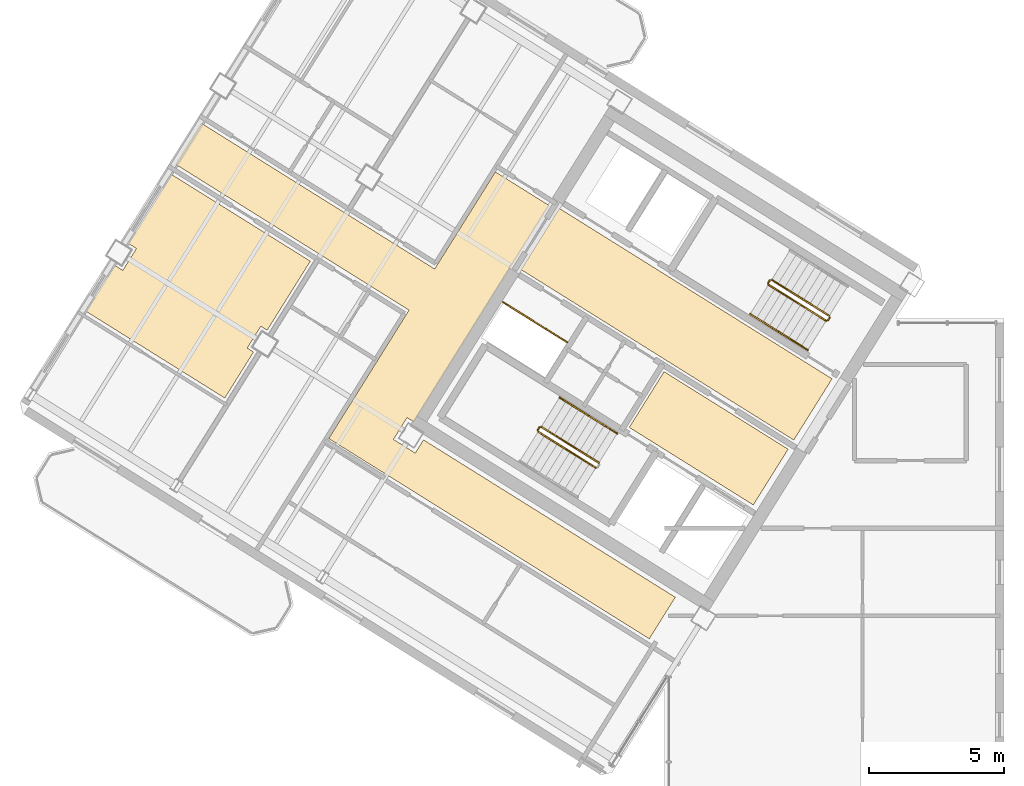
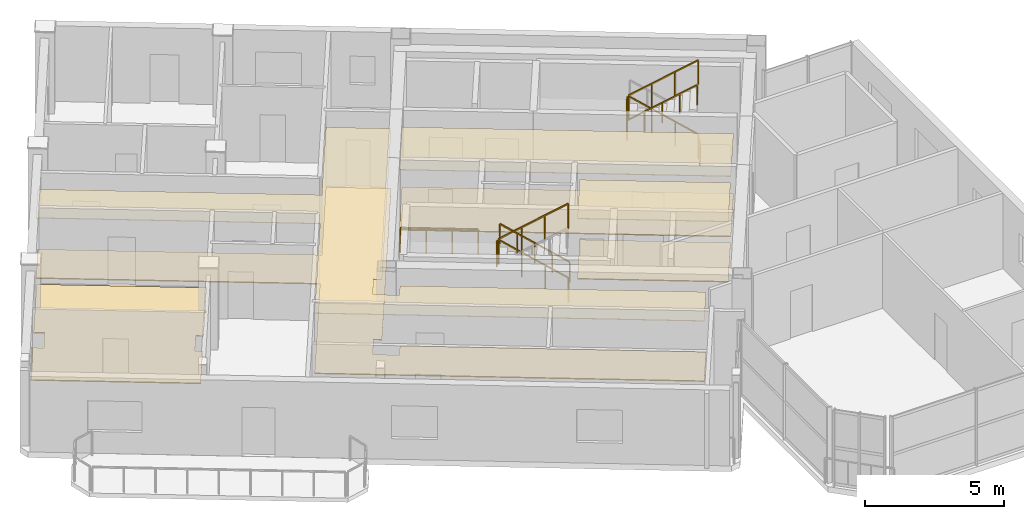
# One storey, part 12 of 13: 12 railings, 7 coverings.
"""IFC4 building model written with IfcOpenShell, lengths in metres."""

from ifc_helpers import new_model, si_unit, direction, frame, origin, origin_2d, place, context, subcontext, project, spatial, polyline, rectangle, outline, extrude, source, transform, mapped, material, layer, layer_set, type_object, element, save


model = new_model("IFC4")

# Units and contexts
model_context = context("Model", 3, precision=1e-05, world=origin(), true_north=direction((0.0, 1.0)))
body_context = subcontext(model_context, "Body", "Model", "MODEL_VIEW")
ifc_project = project(units=[si_unit("LENGTHUNIT", "METRE"), si_unit("AREAUNIT", "SQUARE_METRE"), si_unit("VOLUMEUNIT", "CUBIC_METRE"), si_unit("PLANEANGLEUNIT", "RADIAN"), si_unit("MASSUNIT", "GRAM", prefix="KILO")], contexts=[model_context])

# Site, building, storey
site_placement = place(None, origin())
site = spatial("IfcSite", under=ifc_project, at=site_placement, CompositionType="ELEMENT")
building_placement = place(site_placement, origin())
building = spatial("IfcBuilding", under=site, at=building_placement, Name="Tlacorven Tower", CompositionType="ELEMENT")
storey_placement = place(building_placement, frame((0.0, 0.0, 295.199951171875)))
storey = spatial("IfcBuildingStorey", under=building, at=storey_placement, Name="L75", CompositionType="ELEMENT", Elevation=295.199951171875)

# Coverings
ifc_material_1 = material(Name="Acoustic mineral-fibre ceiling")
ifc_layer_1 = layer(ifc_material_1, 0.02490234375)
ifc_layer_set_1 = layer_set([ifc_layer_1], Name="Acoustic mineral-fibre ceiling")
covering_type_1 = type_object("IfcCoveringType", Name="CV-CLG-ACST", PredefinedType="CEILING", material=ifc_layer_set_1)
covering_1_placement = place(storey_placement, frame((0.0, 0.0, 2.650146484375)))
element("IfcCovering", 1, at=covering_1_placement, inside=storey, type_object=covering_type_1, Name="L75 Acoustic Suspended Ceiling 1", PredefinedType="CEILING", context=body_context, shape_type="SweptSolid", body=[
    extrude(outline(polyline([(36.185302734375, 18.35595703125), (34.892333984375, 16.286865234375), (30.287353515625, 19.164306640625), (31.580322265625, 21.2333984375), (36.185302734375, 18.35595703125)])), origin(), (0.0, 0.0, 1.0), 0.02490234375),
])
covering_2_placement = place(storey_placement, frame((0.0, 0.0, 2.650146484375)))
element("IfcCovering", 2, at=covering_2_placement, inside=storey, type_object=covering_type_1, Name="L75 Acoustic Suspended Ceiling 2", PredefinedType="CEILING", context=body_context, shape_type="SweptSolid", body=[
    extrude(outline(polyline([(37.8173828125, 20.968017578125), (36.397216796875, 18.6953125), (26.271484375, 25.0224609375), (27.691650390625, 27.295166015625), (37.8173828125, 20.968017578125)])), origin(), (0.0, 0.0, 1.0), 0.02490234375),
])
covering_3_placement = place(storey_placement, frame((0.0, 0.0, 2.650146484375)))
element("IfcCovering", 3, at=covering_3_placement, inside=storey, type_object=covering_type_1, Name="L75 Acoustic Suspended Ceiling 3", PredefinedType="CEILING", context=body_context, shape_type="SweptSolid", body=[
    extrude(outline(polyline([(19.134033203125, 18.751953125), (22.1123046875, 23.517822265625), (13.4453125, 28.933837890625), (14.399169921875, 30.460205078125), (23.066162109375, 25.04443359375), (25.318359375, 28.648681640625), (27.311279296875, 27.4033203125), (22.291748046875, 19.37060546875), (22.0390625, 19.528564453125), (21.532470703125, 18.7177734375), (22.34326171875, 18.211181640625), (22.6494140625, 18.701416015625), (31.99658203125, 12.860595703125), (31.0322265625, 11.317138671875), (19.134033203125, 18.751953125)])), origin(), (0.0, 0.0, 1.0), 0.02490234375),
])
ifc_material_2 = material(Name="Terrazzo and ceramic flooring")
ifc_layer_2 = layer(ifc_material_2, 0.0400390625)
ifc_layer_set_2 = layer_set([ifc_layer_2], Name="Terrazzo and ceramic flooring")
covering_type_2 = type_object("IfcCoveringType", Name="CV-FLR-TERZ", PredefinedType="FLOORING", material=ifc_layer_set_2)
covering_4_placement = place(storey_placement, origin())
element("IfcCovering", 4, at=covering_4_placement, inside=storey, type_object=covering_type_2, Name="L75 Terrazzo Floor Finish 1", PredefinedType="FLOORING", context=body_context, shape_type="SweptSolid", body=[
    extrude(outline(polyline([(36.185302734375, 18.35595703125), (34.892333984375, 16.286865234375), (30.287353515625, 19.164306640625), (31.580322265625, 21.2333984375), (36.185302734375, 18.35595703125)])), origin(), (0.0, 0.0, 1.0), 0.0400390625),
])
covering_5_placement = place(storey_placement, origin())
element("IfcCovering", 5, at=covering_5_placement, inside=storey, type_object=covering_type_2, Name="L75 Terrazzo Floor Finish 2", PredefinedType="FLOORING", context=body_context, shape_type="SweptSolid", body=[
    extrude(outline(polyline([(37.8173828125, 20.968017578125), (36.397216796875, 18.6953125), (26.271484375, 25.0224609375), (27.691650390625, 27.295166015625), (37.8173828125, 20.968017578125)])), origin(), (0.0, 0.0, 1.0), 0.0400390625),
])
covering_6_placement = place(storey_placement, origin())
element("IfcCovering", 6, at=covering_6_placement, inside=storey, type_object=covering_type_2, Name="L75 Terrazzo Floor Finish 3", PredefinedType="FLOORING", context=body_context, shape_type="SweptSolid", body=[
    extrude(outline(polyline([(19.134033203125, 18.751953125), (22.1123046875, 23.517822265625), (13.4453125, 28.933837890625), (14.399169921875, 30.460205078125), (23.066162109375, 25.04443359375), (25.318359375, 28.648681640625), (27.311279296875, 27.4033203125), (22.291748046875, 19.37060546875), (22.0390625, 19.528564453125), (21.532470703125, 18.7177734375), (22.34326171875, 18.211181640625), (22.6494140625, 18.701416015625), (31.99658203125, 12.860595703125), (31.0322265625, 11.317138671875), (19.134033203125, 18.751953125)])), origin(), (0.0, 0.0, 1.0), 0.0400390625),
])
covering_7_placement = place(storey_placement, origin())
element("IfcCovering", 7, at=covering_7_placement, inside=storey, type_object=covering_type_2, Name="L75 Terrazzo Floor Finish 4", PredefinedType="FLOORING", context=body_context, shape_type="SweptSolid", body=[
    extrude(outline(polyline([(16.611572265625, 22.919921875), (16.10498046875, 22.109375), (16.3408203125, 21.9619140625), (15.2734375, 20.25390625), (10.08349609375, 23.4970703125), (11.150634765625, 25.205078125), (11.48828125, 24.994140625), (11.994873046875, 25.804931640625), (11.6572265625, 26.015869140625), (13.2587890625, 28.57861328125), (18.44873046875, 25.33544921875), (16.847412109375, 22.772705078125), (16.611572265625, 22.919921875)])), origin(), (0.0, 0.0, 1.0), 0.0400390625),
])

# Railings
ifc_material_3 = material(Name="Aluminium and painted steel balustrade", Category="steel")
railing_type_1 = type_object("IfcRailingType", Name="RL-GRD-1100", PredefinedType="GUARDRAIL", material=ifc_material_3)
shared_shape_1 = source(origin(), body_context, "Body", "SweptSolid", [
    extrude(rectangle(XDim=0.048095703125, YDim=0.048095703125, at=origin_2d()), frame((0.0, 0.0, 1.076171875), z_axis=(-0.848091358275, 0.529850024081, 0.0), x_axis=(-0.529850024081, -0.848091358275, 0.0)), (0.0, 0.0, 1.0), 2.800048828125),
    extrude(rectangle(XDim=0.0419921875, YDim=0.0419921875, at=origin_2d()), origin(), (0.0, 0.0, 1.0), 1.052001953125),
    extrude(rectangle(XDim=0.0419921875, YDim=0.0419921875, at=origin_2d()), frame((-0.79150390625, 0.49462890625, 0.0)), (0.0, 0.0, 1.0), 1.052001953125),
    extrude(rectangle(XDim=0.0419921875, YDim=0.0419921875, at=origin_2d()), frame((-1.583251953125, 0.989013671875, 0.0)), (0.0, 0.0, 1.0), 1.052001953125),
    extrude(rectangle(XDim=0.0419921875, YDim=0.0419921875, at=origin_2d()), frame((-2.374755859375, 1.483642578125, 0.0)), (0.0, 0.0, 1.0), 1.052001953125),
])
railing_1_placement = place(storey_placement, frame((27.9912109375, 22.32080078125, 0.0)))
element("IfcRailing", 8, at=railing_1_placement, inside=storey, type_object=railing_type_1, Name="L75 Electrical Riser W Shaft Guard 1", PredefinedType="GUARDRAIL", context=body_context, shape_type="MappedRepresentation", body=[
    mapped(shared_shape_1, transform((0.0, 0.0, 0.0), scale=1.0)),
])
shared_shape_2 = source(origin(), body_context, "Body", "SweptSolid", [
    extrude(rectangle(XDim=0.048095703125, YDim=0.048095703125, at=origin_2d()), frame((0.0, 0.0, 1.076171875), z_axis=(-0.713319727316, 0.445773895627, 0.540796265334), x_axis=(-0.529955395941, -0.84802551749, 0.0)), (0.0, 0.0, 1.0), 2.995849609375),
    extrude(rectangle(XDim=0.0419921875, YDim=0.0419921875, at=origin_2d()), origin(), (0.0, 0.0, 1.0), 1.052001953125),
    extrude(rectangle(XDim=0.0419921875, YDim=0.0419921875, at=origin_2d()), frame((-0.71240234375, 0.445068359375, 0.5400390625)), (0.0, 0.0, 1.0), 1.052001953125),
    extrude(rectangle(XDim=0.0419921875, YDim=0.0419921875, at=origin_2d()), frame((-1.424560546875, 0.890380859375, 1.080078125)), (0.0, 0.0, 1.0), 1.052001953125),
    extrude(rectangle(XDim=0.0419921875, YDim=0.0419921875, at=origin_2d()), frame((-2.136962890625, 1.33544921875, 1.6201171875)), (0.0, 0.0, 1.0), 1.052001953125),
])
for number, where, name in (
    (9, (29.16064453125, 17.851806640625, 0.179931640625), "L75 ST-W1 stair guard 1"),
    (10, (37.712158203125, 23.3095703125, 0.179931640625), "L75 ST-W2 stair guard 1"),
):
    element("IfcRailing", number, at=place(storey_placement, frame(where)), inside=storey, type_object=railing_type_1, Name=name, PredefinedType="GUARDRAIL", context=body_context, shape_type="MappedRepresentation", body=[
        mapped(shared_shape_2, transform((0.0, 0.0, 0.0), scale=1.0)),
    ])
shared_shape_3 = source(origin(), body_context, "Body", "SweptSolid", [
    extrude(rectangle(XDim=0.048095703125, YDim=0.048095703125, at=origin_2d()), frame((0.0, 0.0, 1.076171875), z_axis=(-0.530546985787, -0.847655529016, 0.0), x_axis=(0.847655529016, -0.530546985787, 0.0)), (0.0, 0.0, 1.0), 0.1201171875),
    extrude(rectangle(XDim=0.0419921875, YDim=0.0419921875, at=origin_2d()), origin(), (0.0, 0.0, 1.0), 1.052001953125),
    extrude(rectangle(XDim=0.0419921875, YDim=0.0419921875, at=origin_2d()), frame((-0.063720703125, -0.101806640625, 0.0)), (0.0, 0.0, 1.0), 1.052001953125),
])
for number, where, name in (
    (11, (26.954833984375, 19.17138671875, 1.800048828125), "L75 ST-W1 stair guard 2"),
    (12, (37.728271484375, 23.24072265625, 0.0), "L75 ST-W2 stair guard 4"),
):
    element("IfcRailing", number, at=place(storey_placement, frame(where)), inside=storey, type_object=railing_type_1, Name=name, PredefinedType="GUARDRAIL", context=body_context, shape_type="MappedRepresentation", body=[
        mapped(shared_shape_3, transform((0.0, 0.0, 0.0), scale=1.0)),
    ])
shared_shape_4 = source(origin(), body_context, "Body", "SweptSolid", [
    extrude(rectangle(XDim=0.048095703125, YDim=0.048095703125, at=origin_2d()), frame((0.0, 0.0, 1.076171875), z_axis=(0.713359751793, -0.4457479829, 0.540764828981), x_axis=(0.529911857636, 0.848052724267, 0.0)), (0.0, 0.0, 1.0), 2.99609375),
    extrude(rectangle(XDim=0.0419921875, YDim=0.0419921875, at=origin_2d()), origin(), (0.0, 0.0, 1.0), 1.052001953125),
    extrude(rectangle(XDim=0.0419921875, YDim=0.0419921875, at=origin_2d()), frame((0.71240234375, -0.445068359375, 0.5400390625)), (0.0, 0.0, 1.0), 1.052001953125),
    extrude(rectangle(XDim=0.0419921875, YDim=0.0419921875, at=origin_2d()), frame((1.4248046875, -0.890380859375, 1.080078125)), (0.0, 0.0, 1.0), 1.052001953125),
    extrude(rectangle(XDim=0.0419921875, YDim=0.0419921875, at=origin_2d()), frame((2.13720703125, -1.33544921875, 1.6201171875)), (0.0, 0.0, 1.0), 1.052001953125),
])
railing_2_placement = place(storey_placement, frame((26.906982421875, 19.000732421875, 1.97998046875)))
element("IfcRailing", 13, at=railing_2_placement, inside=storey, type_object=railing_type_1, Name="L75 ST-W1 stair guard 3", PredefinedType="GUARDRAIL", context=body_context, shape_type="MappedRepresentation", body=[
    mapped(shared_shape_4, transform((0.0, 0.0, 0.0), scale=1.0)),
])
railing_type_2 = type_object("IfcRailingType", Name="RL-HND-0900", PredefinedType="HANDRAIL", material=ifc_material_3)
shared_shape_5 = source(origin(), body_context, "Body", "SweptSolid", [
    extrude(rectangle(XDim=0.048095703125, YDim=0.048095703125, at=origin_2d()), frame((0.0, 0.0, 0.8759765625), z_axis=(-0.713359751793, 0.4457479829, 0.540764828981), x_axis=(-0.529911857636, -0.848052724267, 0.0)), (0.0, 0.0, 1.0), 1.498046875),
    extrude(rectangle(XDim=0.0419921875, YDim=0.0419921875, at=origin_2d()), origin(), (0.0, 0.0, 1.0), 0.851806640625),
    extrude(rectangle(XDim=0.0419921875, YDim=0.0419921875, at=origin_2d()), frame((-0.5341796875, 0.333984375, 0.405029296875)), (0.0, 0.0, 1.0), 0.851806640625),
    extrude(rectangle(XDim=0.0419921875, YDim=0.0419921875, at=origin_2d()), frame((-1.068603515625, 0.667724609375, 0.81005859375)), (0.0, 0.0, 1.0), 0.851806640625),
])
for number, where, name in (
    (14, (29.839111328125, 18.937255859375, 0.179931640625), "L75 ST-W1 stair handrail 1"),
    (15, (28.7705078125, 19.60498046875, 0.989990234375), "L75 ST-W1 stair handrail 2"),
):
    element("IfcRailing", number, at=place(storey_placement, frame(where)), inside=storey, type_object=railing_type_2, Name=name, PredefinedType="HANDRAIL", context=body_context, shape_type="MappedRepresentation", body=[
        mapped(shared_shape_5, transform((0.0, 0.0, 0.0), scale=1.0)),
    ])
shared_shape_6 = source(origin(), body_context, "Body", "SweptSolid", [
    extrude(rectangle(XDim=0.048095703125, YDim=0.048095703125, at=origin_2d()), frame((0.0, 0.0, 0.8759765625), z_axis=(0.713359751793, -0.4457479829, 0.540764828981), x_axis=(0.529911857636, 0.848052724267, 0.0)), (0.0, 0.0, 1.0), 1.498046875),
    extrude(rectangle(XDim=0.0419921875, YDim=0.0419921875, at=origin_2d()), origin(), (0.0, 0.0, 1.0), 0.851806640625),
    extrude(rectangle(XDim=0.0419921875, YDim=0.0419921875, at=origin_2d()), frame((0.5341796875, -0.333984375, 0.405029296875)), (0.0, 0.0, 1.0), 0.851806640625),
    extrude(rectangle(XDim=0.0419921875, YDim=0.0419921875, at=origin_2d()), frame((1.068603515625, -0.667724609375, 0.81005859375)), (0.0, 0.0, 1.0), 0.851806640625),
])
for number, where, name in (
    (16, (34.7802734375, 23.372802734375, 1.97998046875), "L75 ST-W2 stair handrail 3"),
    (17, (35.848876953125, 22.705078125, 2.7900390625), "L75 ST-W2 stair handrail 4"),
):
    element("IfcRailing", number, at=place(storey_placement, frame(where)), inside=storey, type_object=railing_type_2, Name=name, PredefinedType="HANDRAIL", context=body_context, shape_type="MappedRepresentation", body=[
        mapped(shared_shape_6, transform((0.0, 0.0, 0.0), scale=1.0)),
    ])
shared_shape_7 = source(origin(), body_context, "Body", "SweptSolid", [
    extrude(rectangle(XDim=0.048095703125, YDim=0.048095703125, at=origin_2d()), frame((0.0, 0.0, 1.076171875), z_axis=(-0.531462422766, -0.847081869236, 0.0), x_axis=(0.847081869236, -0.531462422766, 0.0)), (0.0, 0.0, 1.0), 0.119873046875),
    extrude(rectangle(XDim=0.0419921875, YDim=0.0419921875, at=origin_2d()), origin(), (0.0, 0.0, 1.0), 1.052001953125),
    extrude(rectangle(XDim=0.0419921875, YDim=0.0419921875, at=origin_2d()), frame((-0.063720703125, -0.1015625, 0.0)), (0.0, 0.0, 1.0), 1.052001953125),
])
railing_3_placement = place(storey_placement, frame((35.50634765625, 24.62890625, 1.800048828125)))
element("IfcRailing", 18, at=railing_3_placement, inside=storey, type_object=railing_type_1, Name="L75 ST-W2 stair guard 2", PredefinedType="GUARDRAIL", context=body_context, shape_type="MappedRepresentation", body=[
    mapped(shared_shape_7, transform((0.0, 0.0, 0.0), scale=1.0)),
])
shared_shape_8 = source(origin(), body_context, "Body", "SweptSolid", [
    extrude(rectangle(XDim=0.048095703125, YDim=0.048095703125, at=origin_2d()), frame((0.0, 0.0, 1.076171875), z_axis=(0.713385662783, -0.445682681033, 0.540784470897), x_axis=(0.52984217967, 0.848096259066, 0.0)), (0.0, 0.0, 1.0), 2.995849609375),
    extrude(rectangle(XDim=0.0419921875, YDim=0.0419921875, at=origin_2d()), origin(), (0.0, 0.0, 1.0), 1.052001953125),
    extrude(rectangle(XDim=0.0419921875, YDim=0.0419921875, at=origin_2d()), frame((0.71240234375, -0.445068359375, 0.5400390625)), (0.0, 0.0, 1.0), 1.052001953125),
    extrude(rectangle(XDim=0.0419921875, YDim=0.0419921875, at=origin_2d()), frame((1.4248046875, -0.89013671875, 1.080078125)), (0.0, 0.0, 1.0), 1.052001953125),
    extrude(rectangle(XDim=0.0419921875, YDim=0.0419921875, at=origin_2d()), frame((2.13720703125, -1.335205078125, 1.6201171875)), (0.0, 0.0, 1.0), 1.052001953125),
])
railing_4_placement = place(storey_placement, frame((35.45849609375, 24.458251953125, 1.97998046875)))
element("IfcRailing", 19, at=railing_4_placement, inside=storey, type_object=railing_type_1, Name="L75 ST-W2 stair guard 3", PredefinedType="GUARDRAIL", context=body_context, shape_type="MappedRepresentation", body=[
    mapped(shared_shape_8, transform((0.0, 0.0, 0.0), scale=1.0)),
])

save(model, "model.ifc")
